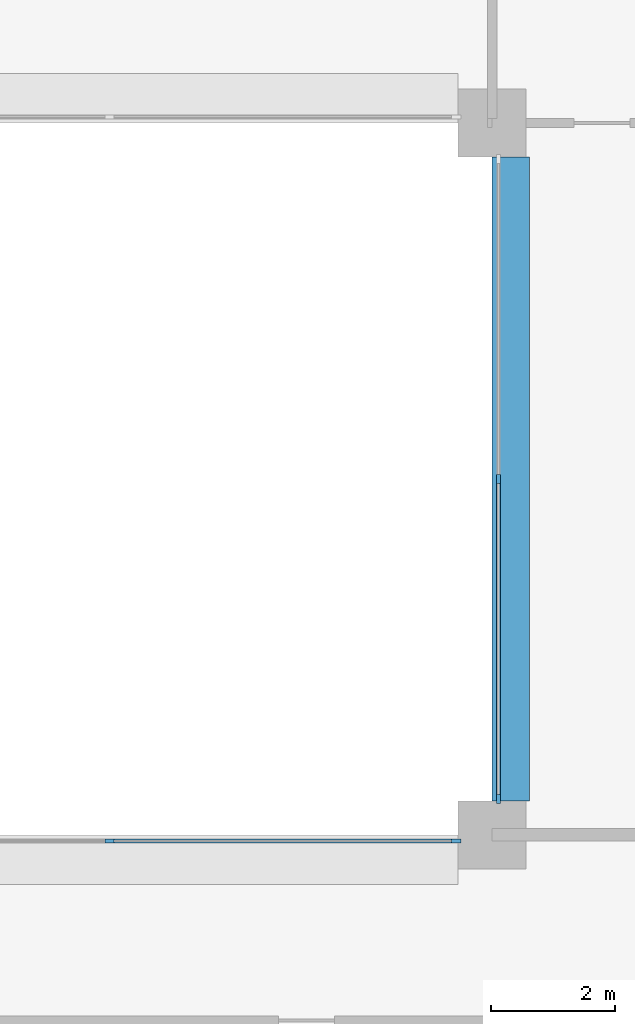
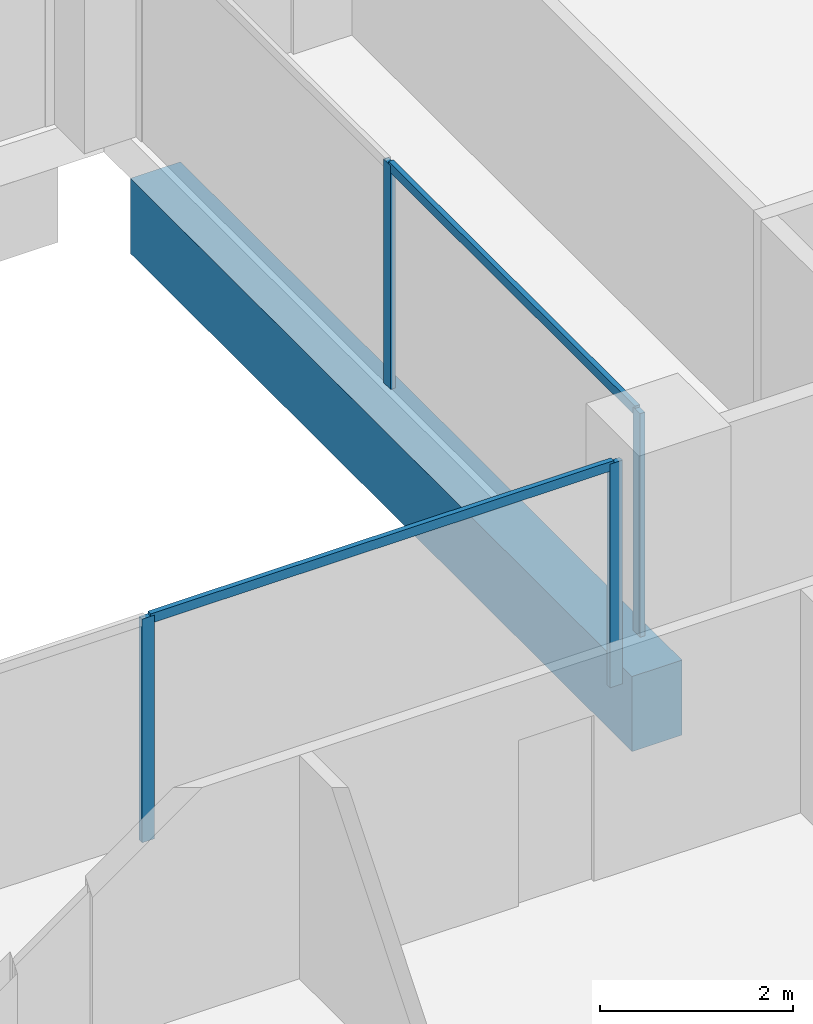
# One storey, part 4 of 17: 6 members, 1 beam, 2 elements without a shape of their own.
"""IFC4 building model written with IfcOpenShell, lengths in metres."""

from ifc_helpers import new_model, si_unit, direction, frame, origin, origin_2d, place, context, subcontext, project, spatial, rectangle, extrude, material, layer, layer_set, material_profile, profile_set, type_object, element, aggregate, save


model = new_model("IFC4")

# Units and contexts
model_context = context("Model", 3, precision=1e-05, world=origin(), true_north=direction((0.0, 1.0)))
body_context = subcontext(model_context, "Body", "Model", "MODEL_VIEW")
ifc_project = project(units=[si_unit("LENGTHUNIT", "METRE"), si_unit("AREAUNIT", "SQUARE_METRE"), si_unit("VOLUMEUNIT", "CUBIC_METRE"), si_unit("PLANEANGLEUNIT", "RADIAN"), si_unit("MASSUNIT", "GRAM", prefix="KILO")], contexts=[model_context])

# Site, building, storey
site_placement = place(None, origin())
site = spatial("IfcSite", under=ifc_project, at=site_placement, CompositionType="ELEMENT")
building_placement = place(site_placement, origin())
building = spatial("IfcBuilding", under=site, at=building_placement, Name="Brigalow Station Residences", CompositionType="ELEMENT")
storey_placement = place(building_placement, frame((0.0, 0.0, 141.300048828125)))
storey = spatial("IfcBuildingStorey", under=building, at=storey_placement, Name="L40", CompositionType="ELEMENT", Elevation=141.300048828125)

# Beam
ifc_material_1 = material(Name="Concrete C65", Category="concrete")
ifc_material_profile_1 = material_profile(ifc_material_1, rectangle(XDim=0.60009765625, YDim=0.949951171875, at=origin_2d()), Name="RC600x950")
ifc_profile_set_1 = profile_set([ifc_material_profile_1], Name="Concrete C65")
beam_type = type_object("IfcBeamType", Name="ATRIUM EDGE GIRDER 600x950 C65", PredefinedType="BEAM", material=ifc_profile_set_1)
beam_placement = place(storey_placement, frame((45.300048828125, 24.550048828125, -0.97509765625), z_axis=(0.0, 1.0, 0.0), x_axis=(-1.0, 0.0, 0.0)))
element("IfcBeam", 1, at=beam_placement, inside=storey, type_object=beam_type, Name="ATRIUM EDGE GIRDER 5 L40", PredefinedType="BEAM", context=body_context, shape_type="SweptSolid", body=[
    extrude(rectangle(XDim=0.60009765625, YDim=0.949951171875, at=origin_2d()), origin(), (0.0, 0.0, 1.0), 10.39990234375),
])

# Curtain wall, members
ifc_material_2 = material(Name="Aluminium", Category="aluminium")
ifc_layer = layer(ifc_material_2, 0.14990234375)
ifc_layer_set = layer_set([ifc_layer], Name="ATRIUM FIRE-RATED GLAZING CURTAIN WALL")
curtain_wall_type = type_object("IfcCurtainWallType", Name="ATRIUM FIRE-RATED GLAZING CURTAIN WALL", PredefinedType="NOTDEFINED", material=ifc_layer_set)
curtain_wall_1_placement = place(storey_placement, origin())
curtain_wall_1 = element("IfcCurtainWall", 2, at=curtain_wall_1_placement, inside=storey, type_object=curtain_wall_type, Name="L40/cw/atrium-S", PredefinedType="NOTDEFINED")
ifc_material_3 = material(Name="Aluminium", Category="aluminium")
ifc_material_profile_2 = material_profile(ifc_material_3, rectangle(XDim=0.06005859375, YDim=0.14990234375, at=origin_2d()), Name="ATRIUM FIRE-RATED GLAZING MULLION 60x150")
ifc_profile_set_2 = profile_set([ifc_material_profile_2], Name="Aluminium")
member_type_1 = type_object("IfcMemberType", Name="ATRIUM FIRE-RATED GLAZING MULLION 60x150", PredefinedType="MULLION", material=ifc_profile_set_2)
member_1_placement = place(storey_placement, frame((38.816650390625, 23.89990234375, 0.0), z_axis=(0.0, 0.0, 1.0), x_axis=(0.0, 1.0, 0.0)))
member_1 = element("IfcMember", 3, at=member_1_placement, type_object=member_type_1, Name="L40/cw/atrium-S/M02", PredefinedType="MULLION", context=body_context, shape_type="SweptSolid", body=[
    extrude(rectangle(XDim=0.06005859375, YDim=0.14990234375, at=origin_2d()), origin(), (0.0, 0.0, 1.0), 2.829833984375),
])
member_2_placement = place(storey_placement, frame((44.419921875, 23.89990234375, 0.0), z_axis=(0.0, 0.0, 1.0), x_axis=(0.0, 1.0, 0.0)))
member_2 = element("IfcMember", 4, at=member_2_placement, type_object=member_type_1, Name="L40/cw/atrium-S/M03", PredefinedType="MULLION", context=body_context, shape_type="SweptSolid", body=[
    extrude(rectangle(XDim=0.06005859375, YDim=0.14990234375, at=origin_2d()), origin(), (0.0, 0.0, 1.0), 2.829833984375),
])

curtain_wall_2_placement = place(storey_placement, origin())
curtain_wall_2 = element("IfcCurtainWall", 5, at=curtain_wall_2_placement, inside=storey, type_object=curtain_wall_type, Name="L40/cw/atrium-E", PredefinedType="NOTDEFINED")
member_3_placement = place(storey_placement, frame((45.10009765625, 24.580078125, 0.0), z_axis=(0.0, 0.0, 1.0), x_axis=(-1.0, 0.0, 0.0)))
member_3 = element("IfcMember", 6, at=member_3_placement, type_object=member_type_1, Name="L40/cw/atrium-E/M00", PredefinedType="MULLION", context=body_context, shape_type="SweptSolid", body=[
    extrude(rectangle(XDim=0.06005859375, YDim=0.14990234375, at=origin_2d()), origin(), (0.0, 0.0, 1.0), 2.829833984375),
])
member_4_placement = place(storey_placement, frame((45.10009765625, 29.75, 0.0), z_axis=(0.0, 0.0, 1.0), x_axis=(-1.0, 0.0, 0.0)))
member_4 = element("IfcMember", 7, at=member_4_placement, type_object=member_type_1, Name="L40/cw/atrium-E/M01", PredefinedType="MULLION", context=body_context, shape_type="SweptSolid", body=[
    extrude(rectangle(XDim=0.06005859375, YDim=0.14990234375, at=origin_2d()), origin(), (0.0, 0.0, 1.0), 2.829833984375),
])

# Member
ifc_material_4 = material(Name="Aluminium", Category="aluminium")
ifc_material_profile_3 = material_profile(ifc_material_4, rectangle(XDim=0.06005859375, YDim=0.1201171875, at=origin_2d()), Name="ATRIUM FIRE-RATED GLAZING TRANSOM 60x120")
ifc_profile_set_3 = profile_set([ifc_material_profile_3], Name="Aluminium")
member_type_2 = type_object("IfcMemberType", Name="ATRIUM FIRE-RATED GLAZING TRANSOM 60x120", PredefinedType="USERDEFINED", material=ifc_profile_set_3)
member_5_placement = place(storey_placement, frame((38.8466796875, 23.89990234375, 2.800048828125), z_axis=(1.0, 0.0, 0.0), x_axis=(0.0, 1.0, 0.0)))
member_5 = element("IfcMember", 8, at=member_5_placement, type_object=member_type_2, Name="L40/cw/atrium-S/T02-00", ObjectType="TRANSOM", PredefinedType="USERDEFINED", context=body_context, shape_type="SweptSolid", body=[
    extrude(rectangle(XDim=0.06005859375, YDim=0.1201171875, at=origin_2d()), origin(), (0.0, 0.0, 1.0), 5.543212890625),
])

aggregate(curtain_wall_1, [member_1, member_2, member_5])

member_6_placement = place(storey_placement, frame((45.10009765625, 24.610107421875, 2.800048828125), z_axis=(0.0, 1.0, 0.0), x_axis=(-1.0, 0.0, 0.0)))
member_6 = element("IfcMember", 9, at=member_6_placement, type_object=member_type_2, Name="L40/cw/atrium-E/T00-00", ObjectType="TRANSOM", PredefinedType="USERDEFINED", context=body_context, shape_type="SweptSolid", body=[
    extrude(rectangle(XDim=0.06005859375, YDim=0.1201171875, at=origin_2d()), origin(), (0.0, 0.0, 1.0), 5.10986328125),
])

aggregate(curtain_wall_2, [member_3, member_4, member_6])

save(model, "model.ifc")
